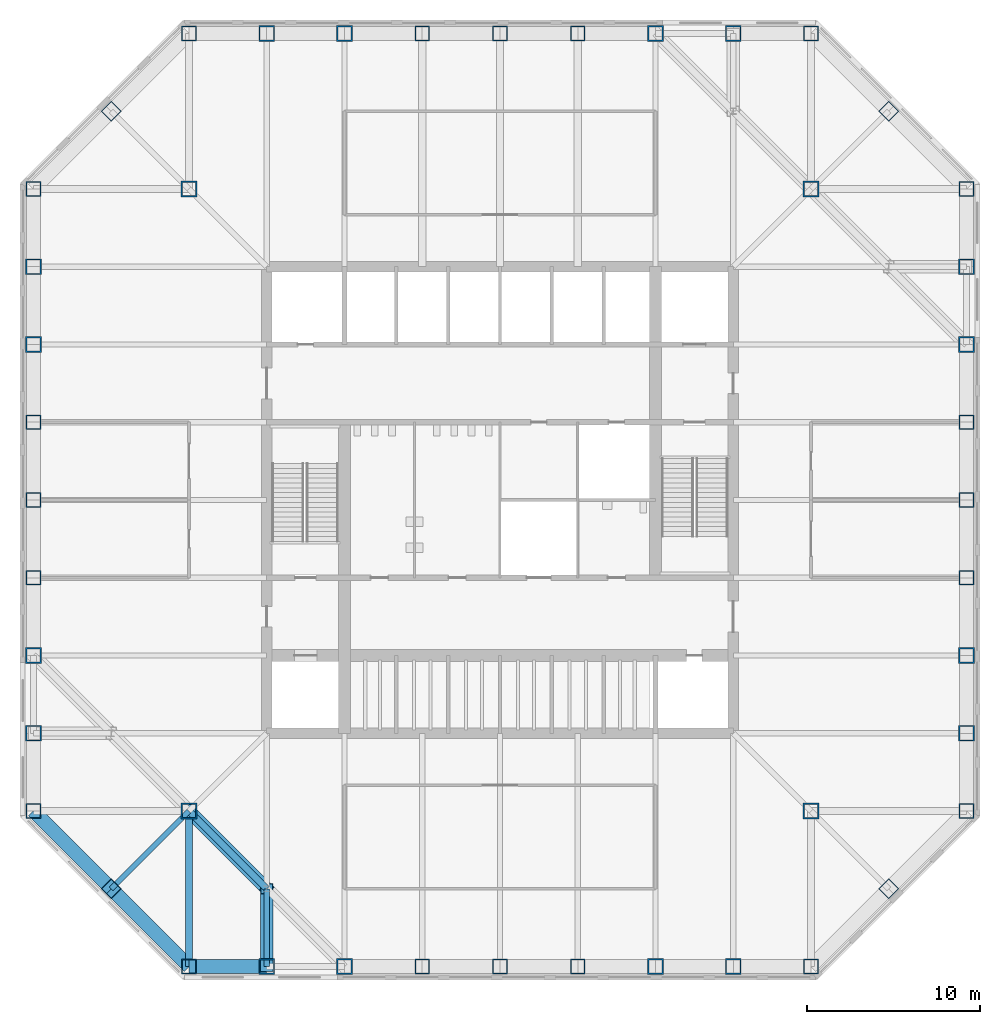
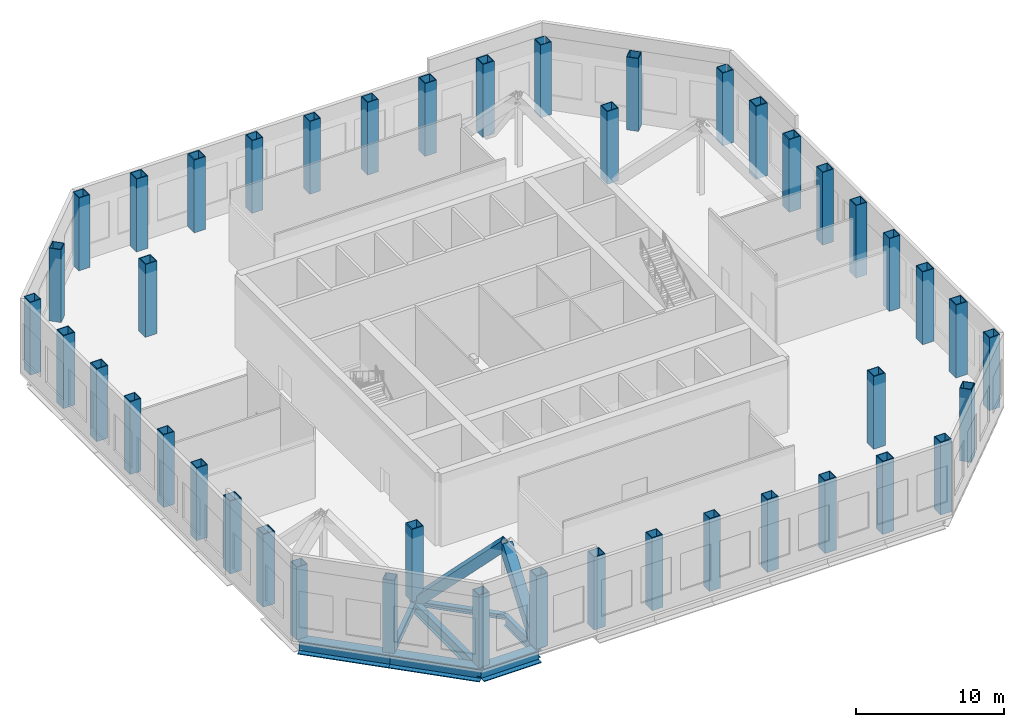
# One storey, part 1 of 11: 44 columns, 7 beams, 2 members.
"""IFC4 building model written with IfcOpenShell, lengths in metres."""

from ifc_helpers import new_model, si_unit, direction, frame, origin, origin_2d, place, context, subcontext, project, spatial, hollow_rectangle, i_section, extrude, material, material_profile, profile_set, type_object, element, save


model = new_model("IFC4")

# Units and contexts
model_context = context("Model", 3, precision=1e-05, world=origin(), true_north=direction((0.0, 1.0)))
body_context = subcontext(model_context, "Body", "Model", "MODEL_VIEW")
ifc_project = project(units=[si_unit("LENGTHUNIT", "METRE"), si_unit("AREAUNIT", "SQUARE_METRE"), si_unit("VOLUMEUNIT", "CUBIC_METRE"), si_unit("PLANEANGLEUNIT", "RADIAN"), si_unit("MASSUNIT", "GRAM", prefix="KILO")], contexts=[model_context])

# Site, building, storey
site_placement = place(None, origin())
site = spatial("IfcSite", under=ifc_project, at=site_placement, CompositionType="ELEMENT")
building_placement = place(site_placement, origin())
building = spatial("IfcBuilding", under=site, at=building_placement, Name="Corais Broadcast Tower", CompositionType="ELEMENT")
storey_placement = place(building_placement, frame((0.0, 0.0, 104.60009765625)))
storey = spatial("IfcBuildingStorey", under=building, at=storey_placement, Name="L23", CompositionType="ELEMENT", Elevation=104.60009765625)

# Columns
ifc_material_1 = material(Name="Steel ASTM A572 Grade 50", Category="steel")
ifc_material_profile_1 = material_profile(ifc_material_1, hollow_rectangle(XDim=0.85009765625, YDim=0.85009765625, WallThickness=0.050048828125, at=origin_2d()), Name="BOX 850x850x50")
ifc_profile_set_1 = profile_set([ifc_material_profile_1], Name="Steel ASTM A572 Grade 50")
column_type_1 = type_object("IfcColumnType", Name="Column BOX 850x850x50", PredefinedType="COLUMN", material=ifc_profile_set_1)
for number, where, z_axis, x_axis, name in (
    (1, (9.0, 0.0, 0.0), (0.0, 0.0, 1.0), (1.0, 0.0, 0.0), "C1 A/5"),
    (2, (22.5, 0.0, 0.0), (0.0, 0.0, 1.0), (1.0, 0.0, 0.0), "C1 A/8"),
    (3, (27.0, 0.0, 0.0), (0.0, 0.0, 1.0), (1.0, 0.0, 0.0), "C1 A/9"),
    (4, (31.5, 0.0, 0.0), (0.0, 0.0, 1.0), (1.0, 0.0, 0.0), "C1 A/10"),
    (5, (45.0, 0.0, 0.0), (0.0, 0.0, 1.0), (1.0, 0.0, 0.0), "C1 A/13"),
    (6, (54.0, 9.0, 0.0), (0.0, 0.0, 1.0), (1.0, 0.0, 0.0), "C1 C/15"),
    (7, (54.0, 22.5, 0.0), (0.0, 0.0, 1.0), (1.0, 0.0, 0.0), "C1 F/15"),
    (8, (54.0, 27.0, 0.0), (0.0, 0.0, 1.0), (1.0, 0.0, 0.0), "C1 G/15"),
    (9, (54.0, 31.5, 0.0), (0.0, 0.0, 1.0), (1.0, 0.0, 0.0), "C1 H/15"),
    (10, (54.0, 45.0, 0.0), (0.0, 0.0, 1.0), (1.0, 0.0, 0.0), "C1 L/15"),
    (11, (45.0, 54.0, 0.0), (0.0, 0.0, 1.0), (1.0, 0.0, 0.0), "C1 N/13"),
    (12, (31.5, 54.0, 0.0), (0.0, 0.0, 1.0), (1.0, 0.0, 0.0), "C1 N/10"),
    (13, (27.0, 54.0, 0.0), (0.0, 0.0, 1.0), (1.0, 0.0, 0.0), "C1 N/9"),
    (14, (22.5, 54.0, 0.0), (0.0, 0.0, 1.0), (1.0, 0.0, 0.0), "C1 N/8"),
    (15, (9.0, 54.0, 0.0), (0.0, 0.0, 1.0), (1.0, 0.0, 0.0), "C1 N/5"),
    (16, (0.0, 45.0, 0.0), (0.0, 0.0, 1.0), (1.0, 0.0, 0.0), "C1 L/3"),
    (17, (0.0, 31.5, 0.0), (0.0, 0.0, 1.0), (1.0, 0.0, 0.0), "C1 H/3"),
    (18, (0.0, 27.0, 0.0), (0.0, 0.0, 1.0), (1.0, 0.0, 0.0), "C1 G/3"),
    (19, (0.0, 22.5, 0.0), (0.0, 0.0, 1.0), (1.0, 0.0, 0.0), "C1 F/3"),
    (20, (0.0, 9.0, 0.0), (0.0, 0.0, 1.0), (1.0, 0.0, 0.0), "C1 C/3"),
    (21, (4.5, 4.5, 0.0), (0.0, 0.0, 1.0), (0.707106781187, 0.707106781187, 0.0), "C1 B/4"),
    (22, (49.5, 4.5, 0.0), (0.0, 0.0, 1.0), (0.707106781187, 0.707106781187, 0.0), "C1 B/14"),
    (23, (49.5, 49.5, 0.0), (0.0, 0.0, 1.0), (0.707106781187, 0.707106781187, 0.0), "C1 M/14"),
    (24, (4.5, 49.5, 0.0), (0.0, 0.0, 1.0), (0.707106781187, 0.707106781187, 0.0), "C1 M/4"),
):
    element("IfcColumn", number, at=place(storey_placement, frame(where, z_axis=z_axis, x_axis=x_axis)), inside=storey, type_object=column_type_1, Name=name, PredefinedType="COLUMN", context=body_context, shape_type="SweptSolid", body=[
        extrude(hollow_rectangle(XDim=0.85009765625, YDim=0.85009765625, WallThickness=0.050048828125, at=origin_2d()), origin(), (0.0, 0.0, 1.0), 6.0),
    ])
ifc_material_2 = material(Name="Steel ASTM A572 Grade 50", Category="steel")
ifc_material_profile_2 = material_profile(ifc_material_2, hollow_rectangle(XDim=0.89990234375, YDim=0.89990234375, WallThickness=0.06298828125, at=origin_2d()), Name="BOX 900x900x63")
ifc_profile_set_2 = profile_set([ifc_material_profile_2], Name="Steel ASTM A572 Grade 50")
column_type_2 = type_object("IfcColumnType", Name="Column BOX 900x900x63", PredefinedType="COLUMN", material=ifc_profile_set_2)
for number, where, z_axis, x_axis, name in (
    (25, (13.5, 0.0, 0.0), (0.0, 0.0, 1.0), (1.0, 0.0, 0.0), "C2 A/6"),
    (26, (18.0, 0.0, 0.0), (0.0, 0.0, 1.0), (1.0, 0.0, 0.0), "C2 A/7"),
    (27, (36.0, 0.0, 0.0), (0.0, 0.0, 1.0), (1.0, 0.0, 0.0), "C2 A/11"),
    (28, (40.5, 0.0, 0.0), (0.0, 0.0, 1.0), (1.0, 0.0, 0.0), "C2 A/12"),
    (29, (54.0, 13.5, 0.0), (0.0, 0.0, 1.0), (1.0, 0.0, 0.0), "C2 D/15"),
    (30, (54.0, 18.0, 0.0), (0.0, 0.0, 1.0), (1.0, 0.0, 0.0), "C2 E/15"),
    (31, (54.0, 36.0, 0.0), (0.0, 0.0, 1.0), (1.0, 0.0, 0.0), "C2 J/15"),
    (32, (54.0, 40.5, 0.0), (0.0, 0.0, 1.0), (1.0, 0.0, 0.0), "C2 K/15"),
    (33, (40.5, 54.0, 0.0), (0.0, 0.0, 1.0), (1.0, 0.0, 0.0), "C2 N/12"),
    (34, (36.0, 54.0, 0.0), (0.0, 0.0, 1.0), (1.0, 0.0, 0.0), "C2 N/11"),
    (35, (18.0, 54.0, 0.0), (0.0, 0.0, 1.0), (1.0, 0.0, 0.0), "C2 N/7"),
    (36, (13.5, 54.0, 0.0), (0.0, 0.0, 1.0), (1.0, 0.0, 0.0), "C2 N/6"),
    (37, (0.0, 40.5, 0.0), (0.0, 0.0, 1.0), (1.0, 0.0, 0.0), "C2 K/3"),
    (38, (0.0, 36.0, 0.0), (0.0, 0.0, 1.0), (1.0, 0.0, 0.0), "C2 J/3"),
    (39, (0.0, 18.0, 0.0), (0.0, 0.0, 1.0), (1.0, 0.0, 0.0), "C2 E/3"),
    (40, (0.0, 13.5, 0.0), (0.0, 0.0, 1.0), (1.0, 0.0, 0.0), "C2 D/3"),
    (41, (9.0, 9.0, 0.0), (0.0, 0.0, 1.0), (1.0, 0.0, 0.0), "C2 C/5"),
    (42, (45.0, 9.0, 0.0), (0.0, 0.0, 1.0), (1.0, 0.0, 0.0), "C2 C/13"),
    (43, (45.0, 45.0, 0.0), (0.0, 0.0, 1.0), (1.0, 0.0, 0.0), "C2 L/13"),
    (44, (9.0, 45.0, 0.0), (0.0, 0.0, 1.0), (1.0, 0.0, 0.0), "C2 L/5"),
):
    element("IfcColumn", number, at=place(storey_placement, frame(where, z_axis=z_axis, x_axis=x_axis)), inside=storey, type_object=column_type_2, Name=name, PredefinedType="COLUMN", context=body_context, shape_type="SweptSolid", body=[
        extrude(hollow_rectangle(XDim=0.89990234375, YDim=0.89990234375, WallThickness=0.06298828125, at=origin_2d()), origin(), (0.0, 0.0, 1.0), 6.0),
    ])

# Beams
ifc_material_3 = material(Name="Steel ASTM A572 Grade 50", Category="steel")
ifc_material_profile_3 = material_profile(ifc_material_3, i_section(OverallWidth=0.323974609375, OverallDepth=0.611083984375, WebThickness=0.0126953125, FlangeThickness=0.01904296875, at=origin_2d()), Name="W610x155")
ifc_profile_set_3 = profile_set([ifc_material_profile_3], Name="Steel ASTM A572 Grade 50")
beam_type_1 = type_object("IfcBeamType", Name="Chamfer tie W610x155", PredefinedType="BEAM", material=ifc_profile_set_3)
beam_1_placement = place(storey_placement, frame((4.5, 4.5, -0.505615234375), z_axis=(0.707106781187, 0.707106781187, 0.0), x_axis=(-0.707106781187, 0.707106781187, 0.0)))
element("IfcBeam", 45, at=beam_1_placement, inside=storey, type_object=beam_type_1, Name="B5 B/4 to C/5", PredefinedType="BEAM", context=body_context, shape_type="SweptSolid", body=[
    extrude(i_section(OverallWidth=0.323974609375, OverallDepth=0.611083984375, WebThickness=0.0126953125, FlangeThickness=0.01904296875, at=origin_2d()), origin(), (0.0, 0.0, 1.0), 6.364013671875),
])
ifc_material_4 = material(Name="Steel ASTM A572 Grade 50", Category="steel")
ifc_material_profile_4 = material_profile(ifc_material_4, i_section(OverallWidth=0.30908203125, OverallDepth=0.931884765625, WebThickness=0.02099609375, FlangeThickness=0.034423828125, at=origin_2d()), Name="W920x313")
ifc_profile_set_4 = profile_set([ifc_material_profile_4], Name="Steel ASTM A572 Grade 50")
beam_type_2 = type_object("IfcBeamType", Name="Plant floor beam W920x313", PredefinedType="BEAM", material=ifc_profile_set_4)
beam_2_placement = place(storey_placement, frame((13.5, 0.0, -0.666015625), z_axis=(0.0, 1.0, 0.0), x_axis=(-1.0, 0.0, 0.0)))
element("IfcBeam", 46, at=beam_2_placement, inside=storey, type_object=beam_type_2, Name="B17 A/6 to B/6", PredefinedType="BEAM", context=body_context, shape_type="SweptSolid", body=[
    extrude(i_section(OverallWidth=0.30908203125, OverallDepth=0.931884765625, WebThickness=0.02099609375, FlangeThickness=0.034423828125, at=origin_2d()), origin(), (0.0, 0.0, 1.0), 4.5),
])
ifc_material_5 = material(Name="Steel ASTM A572 Grade 50", Category="steel")
ifc_material_profile_5 = material_profile(ifc_material_5, i_section(OverallWidth=0.40087890625, OverallDepth=0.386962890625, WebThickness=0.02099609375, FlangeThickness=0.033203125, at=origin_2d()), Name="W360x262")
ifc_profile_set_5 = profile_set([ifc_material_profile_5], Name="Steel ASTM A572 Grade 50")
beam_type_3 = type_object("IfcBeamType", Name="Transfer chord W360x262", PredefinedType="BEAM", material=ifc_profile_set_5)
beam_3_placement = place(storey_placement, frame((13.5, 4.5, -0.3935546875), z_axis=(-0.707106781187, 0.707106781187, 0.0), x_axis=(-0.707106781187, -0.707106781187, 0.0)))
element("IfcBeam", 47, at=beam_3_placement, inside=storey, type_object=beam_type_3, Name="TC1 B/6 to C/5", PredefinedType="BEAM", context=body_context, shape_type="SweptSolid", body=[
    extrude(i_section(OverallWidth=0.40087890625, OverallDepth=0.386962890625, WebThickness=0.02099609375, FlangeThickness=0.033203125, at=origin_2d()), origin(), (0.0, 0.0, 1.0), 6.364013671875),
])
ifc_material_6 = material(Name="Steel ASTM A572 Grade 50", Category="steel")
ifc_material_profile_6 = material_profile(ifc_material_6, i_section(OverallWidth=0.408935546875, OverallDepth=0.927001953125, WebThickness=0.0166015625, FlangeThickness=0.030029296875, at=origin_2d()), Name="W920x289")
ifc_profile_set_6 = profile_set([ifc_material_profile_6], Name="Steel ASTM A572 Grade 50")
beam_type_4 = type_object("IfcBeamType", Name="Transfer corner girder W920x289", PredefinedType="BEAM", material=ifc_profile_set_6)
beam_4_placement = place(storey_placement, frame((9.0, 0.0, -0.66357421875), z_axis=(0.0, 1.0, 0.0), x_axis=(-1.0, 0.0, 0.0)))
element("IfcBeam", 48, at=beam_4_placement, inside=storey, type_object=beam_type_4, Name="B14 A/5 to C/5", PredefinedType="BEAM", context=body_context, shape_type="SweptSolid", body=[
    extrude(i_section(OverallWidth=0.408935546875, OverallDepth=0.927001953125, WebThickness=0.0166015625, FlangeThickness=0.030029296875, at=origin_2d()), origin(), (0.0, 0.0, 1.0), 9.0),
])
ifc_material_7 = material(Name="Steel ASTM A572 Grade 50", Category="steel")
ifc_material_profile_7 = material_profile(ifc_material_7, i_section(OverallWidth=0.800048828125, OverallDepth=1.10009765625, WebThickness=0.030029296875, FlangeThickness=0.070068359375, at=origin_2d()), Name="PG1100x1105")
ifc_profile_set_7 = profile_set([ifc_material_profile_7], Name="Steel ASTM A572 Grade 50")
beam_type_5 = type_object("IfcBeamType", Name="Transfer spandrel PG1100x1105", PredefinedType="BEAM", material=ifc_profile_set_7)
for number, where, z_axis, x_axis, name in (
    (49, (0.0, 9.0, -0.75), (0.707106781187, -0.707106781187, 0.0), (0.707106781187, 0.707106781187, 0.0), "SB8 C/3 to B/4"),
    (50, (4.5, 4.5, -0.75), (0.707106781187, -0.707106781187, 0.0), (0.707106781187, 0.707106781187, 0.0), "SB8 B/4 to A/5"),
):
    element("IfcBeam", number, at=place(storey_placement, frame(where, z_axis=z_axis, x_axis=x_axis)), inside=storey, type_object=beam_type_5, Name=name, PredefinedType="BEAM", context=body_context, shape_type="SweptSolid", body=[
        extrude(i_section(OverallWidth=0.800048828125, OverallDepth=1.10009765625, WebThickness=0.030029296875, FlangeThickness=0.070068359375, at=origin_2d()), origin(), (0.0, 0.0, 1.0), 6.364013671875),
    ])
beam_5_placement = place(storey_placement, frame((9.0, 0.0, -0.75), z_axis=(1.0, 0.0, 0.0), x_axis=(0.0, 1.0, 0.0)))
element("IfcBeam", 51, at=beam_5_placement, inside=storey, type_object=beam_type_5, Name="SB8 A/5 to A/6", PredefinedType="BEAM", context=body_context, shape_type="SweptSolid", body=[
    extrude(i_section(OverallWidth=0.800048828125, OverallDepth=1.10009765625, WebThickness=0.030029296875, FlangeThickness=0.070068359375, at=origin_2d()), origin(), (0.0, 0.0, 1.0), 4.5),
])

# Members
ifc_material_8 = material(Name="Steel ASTM A572 Grade 50", Category="steel")
ifc_material_profile_8 = material_profile(ifc_material_8, hollow_rectangle(XDim=0.75, YDim=0.75, WallThickness=0.0400390625, at=origin_2d()), Name="BOX 750x750x40")
ifc_profile_set_8 = profile_set([ifc_material_profile_8], Name="Steel ASTM A572 Grade 50")
member_type = type_object("IfcMemberType", Name="Transfer truss diagonal BOX 750x750x40", PredefinedType="BRACE", material=ifc_profile_set_8)
member_1_placement = place(storey_placement, frame((9.0, 9.0, -0.3935546875), z_axis=(0.51368847143, -0.51368847143, 0.687203251331), x_axis=(0.707106781187, 0.707106781187, 0.0)))
element("IfcMember", 52, at=member_1_placement, inside=storey, type_object=member_type, Name="TD1 transfer truss diagonal SW", PredefinedType="BRACE", context=body_context, shape_type="SweptSolid", body=[
    extrude(hollow_rectangle(XDim=0.75, YDim=0.75, WallThickness=0.0400390625, at=origin_2d()), origin(), (0.0, 0.0, 1.0), 8.76025390625),
])
member_2_placement = place(storey_placement, frame((13.5, 0.0, -0.3935546875), z_axis=(0.0, 0.598720715582, 0.800957867015), x_axis=(-1.0, 0.0, 0.0)))
element("IfcMember", 53, at=member_2_placement, inside=storey, type_object=member_type, Name="TD1 transfer truss diagonal SW", PredefinedType="BRACE", context=body_context, shape_type="SweptSolid", body=[
    extrude(hollow_rectangle(XDim=0.75, YDim=0.75, WallThickness=0.0400390625, at=origin_2d()), origin(), (0.0, 0.0, 1.0), 7.51611328125),
])

save(model, "model.ifc")
